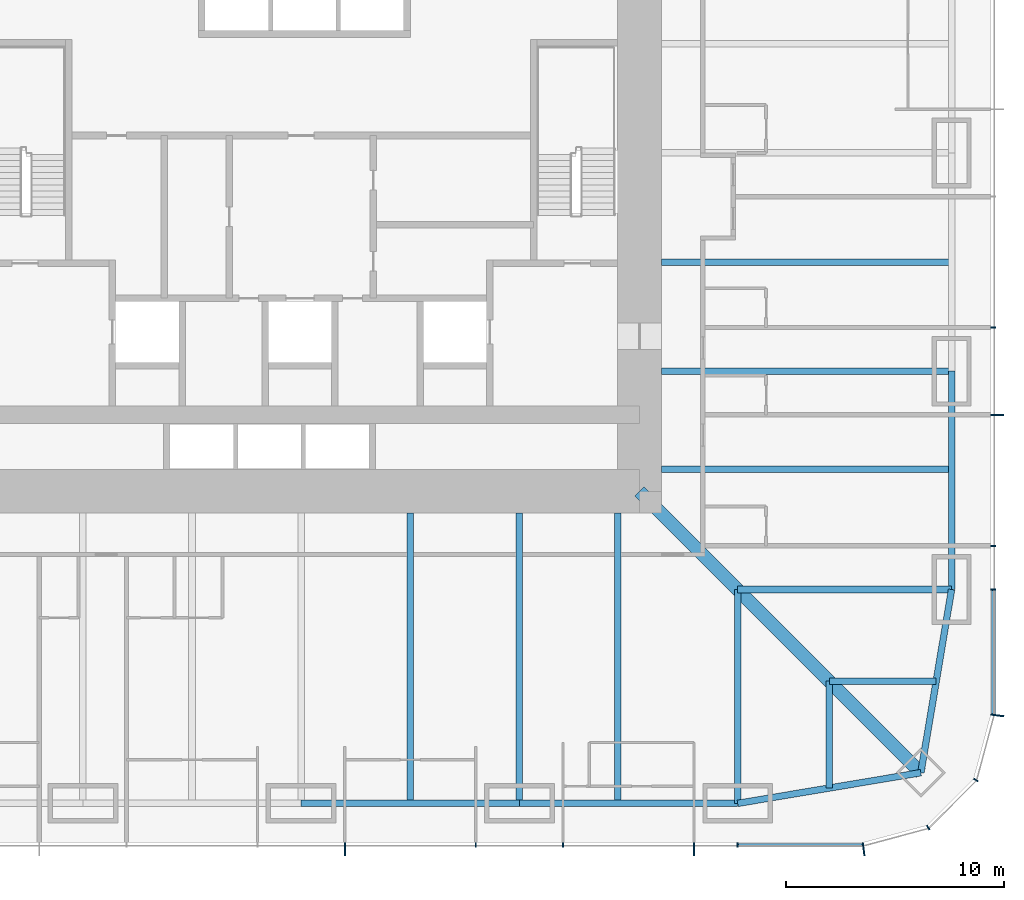
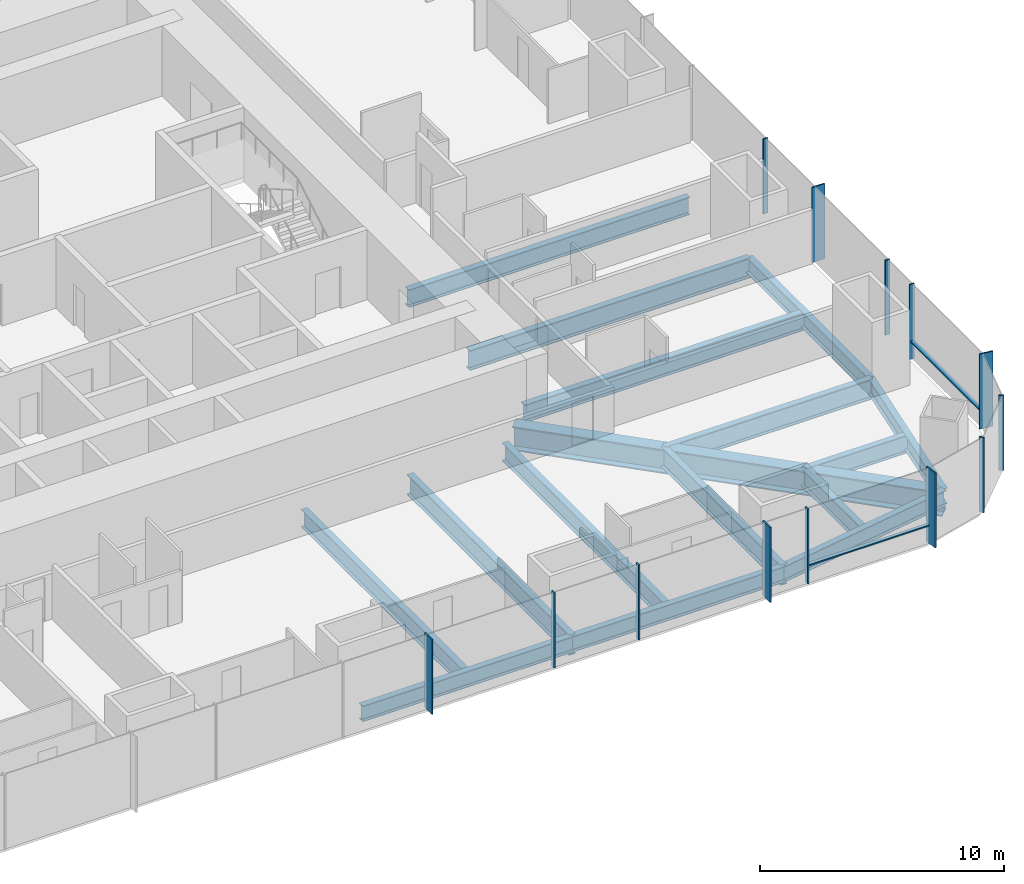
# One storey, part 4 of 17: 16 beams, 15 members, 3 elements without a shape of their own.
"""IFC4 building model written with IfcOpenShell, lengths in metres."""

from ifc_helpers import new_model, si_unit, direction, frame, origin, origin_2d, place, context, subcontext, project, spatial, rectangle, i_section, extrude, material, material_profile, profile_set, type_object, element, aggregate, save


model = new_model("IFC4")

# Units and contexts
model_context = context("Model", 3, precision=1e-05, world=origin(), true_north=direction((0.0, 1.0)))
body_context = subcontext(model_context, "Body", "Model", "MODEL_VIEW")
ifc_project = project(units=[si_unit("LENGTHUNIT", "METRE"), si_unit("AREAUNIT", "SQUARE_METRE"), si_unit("VOLUMEUNIT", "CUBIC_METRE"), si_unit("PLANEANGLEUNIT", "RADIAN"), si_unit("MASSUNIT", "GRAM", prefix="KILO")], contexts=[model_context])

# Site, building, storey
site_placement = place(None, origin())
site = spatial("IfcSite", under=ifc_project, at=site_placement, CompositionType="ELEMENT")
building_placement = place(site_placement, origin())
building = spatial("IfcBuilding", under=site, at=building_placement, Name="Khuree Lantern Residences", CompositionType="ELEMENT")
storey_placement = place(building_placement, frame((0.0, 0.0, 39.75)))
storey = spatial("IfcBuildingStorey", under=building, at=storey_placement, Name="L09", CompositionType="ELEMENT", Elevation=39.75)

# Beams
ifc_material_1 = material(Name="Steel S355", Category="steel")
ifc_material_profile_1 = material_profile(ifc_material_1, i_section(OverallWidth=0.300048828125, OverallDepth=0.889892578125, WebThickness=0.01611328125, FlangeThickness=0.030029296875, FilletRadius=0.030029296875, at=origin_2d()), Name="HE 900 A")
ifc_profile_set_1 = profile_set([ifc_material_profile_1], Name="Steel S355")
beam_type_1 = type_object("IfcBeamType", Name="B-12 SECONDARY BEAM HE 900 A", PredefinedType="BEAM", material=ifc_profile_set_1)
for number, where, z_axis, x_axis, name in (
    (1, (29.800048828125, -5.0, -0.695068359375), (-1.0, 0.0, 0.0), (0.0, -1.0, 0.0), "Secondary beam E4"),
    (2, (29.800048828125, -14.5, -0.695068359375), (-1.0, 0.0, 0.0), (0.0, -1.0, 0.0), "Secondary beam E5"),
):
    element("IfcBeam", number, at=place(storey_placement, frame(where, z_axis=z_axis, x_axis=x_axis)), inside=storey, type_object=beam_type_1, Name=name, PredefinedType="BEAM", context=body_context, shape_type="SweptSolid", body=[
        extrude(i_section(OverallWidth=0.300048828125, OverallDepth=0.889892578125, WebThickness=0.01611328125, FlangeThickness=0.030029296875, FilletRadius=0.030029296875, at=origin_2d()), origin(), (0.0, 0.0, 1.0), 13.300048828125),
    ])
for number, where, z_axis, x_axis, name in (
    (3, (29.09716796875, -24.197021484375, -0.695068359375), (-1.0, 0.0, 0.0), (0.0, -1.0, 0.0), "Secondary beam E6"),
    (4, (24.197021484375, -29.09716796875, -0.695068359375), (0.0, 1.0, 0.0), (-1.0, 0.0, 0.0), "Secondary beam S1"),
):
    element("IfcBeam", number, at=place(storey_placement, frame(where, z_axis=z_axis, x_axis=x_axis)), inside=storey, type_object=beam_type_1, Name=name, PredefinedType="BEAM", context=body_context, shape_type="SweptSolid", body=[
        extrude(i_section(OverallWidth=0.300048828125, OverallDepth=0.889892578125, WebThickness=0.01611328125, FlangeThickness=0.030029296875, FilletRadius=0.030029296875, at=origin_2d()), origin(), (0.0, 0.0, 1.0), 4.900146484375),
    ])
for number, where, z_axis, x_axis, name in (
    (5, (14.5, -29.800048828125, -0.695068359375), (0.0, 1.0, 0.0), (-1.0, 0.0, 0.0), "Secondary beam S2"),
    (6, (5.0, -29.800048828125, -0.695068359375), (0.0, 1.0, 0.0), (-1.0, 0.0, 0.0), "Secondary beam S3"),
):
    element("IfcBeam", number, at=place(storey_placement, frame(where, z_axis=z_axis, x_axis=x_axis)), inside=storey, type_object=beam_type_1, Name=name, PredefinedType="BEAM", context=body_context, shape_type="SweptSolid", body=[
        extrude(i_section(OverallWidth=0.300048828125, OverallDepth=0.889892578125, WebThickness=0.01611328125, FlangeThickness=0.030029296875, FilletRadius=0.030029296875, at=origin_2d()), origin(), (0.0, 0.0, 1.0), 13.300048828125),
    ])
ifc_material_profile_2 = material_profile(ifc_material_1, i_section(OverallWidth=0.300048828125, OverallDepth=0.7900390625, WebThickness=0.014892578125, FlangeThickness=0.028076171875, FilletRadius=0.030029296875, at=origin_2d()), Name="HE 800 A")
ifc_profile_set_2 = profile_set([ifc_material_profile_2], Name="Steel S355")
beam_type_2 = type_object("IfcBeamType", Name="E-12 SPANDREL BEAM HE 800 A", PredefinedType="SPANDREL", material=ifc_profile_set_2)
beam_1_placement = place(storey_placement, frame((29.800048828125, -10.0, -0.64501953125), z_axis=(0.0, -1.0, 0.0), x_axis=(1.0, 0.0, 0.0)))
element("IfcBeam", 7, at=beam_1_placement, inside=storey, type_object=beam_type_2, Name="Spandrel beam E5", PredefinedType="SPANDREL", context=body_context, shape_type="SweptSolid", body=[
    extrude(i_section(OverallWidth=0.300048828125, OverallDepth=0.7900390625, WebThickness=0.014892578125, FlangeThickness=0.028076171875, FilletRadius=0.030029296875, at=origin_2d()), origin(), (0.0, 0.0, 1.0), 10.0),
])
for number, where, z_axis, x_axis, name in (
    (8, (29.800048828125, -20.0, -0.64501953125), (-0.165199022349, -0.986260251158, 0.0), (0.986260251158, -0.165199022349, 0.0), "Spandrel beam E6"),
    (9, (28.39404296875, -28.39404296875, -0.64501953125), (-0.986260251158, -0.165199022349, 0.0), (0.165199022349, -0.986260251158, 0.0), "Spandrel beam S1"),
):
    element("IfcBeam", number, at=place(storey_placement, frame(where, z_axis=z_axis, x_axis=x_axis)), inside=storey, type_object=beam_type_2, Name=name, PredefinedType="SPANDREL", context=body_context, shape_type="SweptSolid", body=[
        extrude(i_section(OverallWidth=0.300048828125, OverallDepth=0.7900390625, WebThickness=0.014892578125, FlangeThickness=0.028076171875, FilletRadius=0.030029296875, at=origin_2d()), origin(), (0.0, 0.0, 1.0), 8.510986328125),
    ])
for number, where, z_axis, x_axis, name in (
    (10, (20.0, -29.800048828125, -0.64501953125), (-1.0, 0.0, 0.0), (0.0, -1.0, 0.0), "Spandrel beam S2"),
    (11, (10.0, -29.800048828125, -0.64501953125), (-1.0, 0.0, 0.0), (0.0, -1.0, 0.0), "Spandrel beam S3"),
):
    element("IfcBeam", number, at=place(storey_placement, frame(where, z_axis=z_axis, x_axis=x_axis)), inside=storey, type_object=beam_type_2, Name=name, PredefinedType="SPANDREL", context=body_context, shape_type="SweptSolid", body=[
        extrude(i_section(OverallWidth=0.300048828125, OverallDepth=0.7900390625, WebThickness=0.014892578125, FlangeThickness=0.028076171875, FilletRadius=0.030029296875, at=origin_2d()), origin(), (0.0, 0.0, 1.0), 10.0),
    ])

# Curtain wall, member
ifc_material_2 = material(Name="Bronze anodised aluminium", Category="aluminium")
curtain_wall_type_1 = type_object("IfcCurtainWallType", Name="CW-T2 TOWER CORNER CURTAIN WALL", PredefinedType="USERDEFINED", material=ifc_material_2)
curtain_wall_1_placement = place(storey_placement, origin())
curtain_wall_1 = element("IfcCurtainWall", 12, at=curtain_wall_1_placement, inside=storey, type_object=curtain_wall_type_1, Name="L09 SOUTH-EAST CORNER CURTAIN WALL", ObjectType="Faceted corner curtain wall", PredefinedType="USERDEFINED")
ifc_material_profile_3 = material_profile(ifc_material_2, rectangle(XDim=0.06494140625, YDim=0.60009765625, at=origin_2d()), Name="F1 65X600")
ifc_profile_set_3 = profile_set([ifc_material_profile_3], Name="Bronze anodised aluminium")
member_type_1 = type_object("IfcMemberType", Name="F1 BRONZE FIN MULLION TOWER 65X600", PredefinedType="MULLION", material=ifc_profile_set_3)
member_1_placement = place(storey_placement, frame((25.769775390625, -31.900146484375, 0.0), z_axis=(0.0, 0.0, 1.0), x_axis=(0.991444852794, 0.130526257387, 0.0)))
member_1 = element("IfcMember", 13, at=member_1_placement, type_object=member_type_1, Name="L09 SOUTH-EAST CORNER FIN MULLION 1", PredefinedType="MULLION", context=body_context, shape_type="SweptSolid", body=[
    extrude(rectangle(XDim=0.06494140625, YDim=0.60009765625, at=origin_2d()), origin(), (0.0, 0.0, 1.0), 3.75),
])

# Curtain wall, members
curtain_wall_type_2 = type_object("IfcCurtainWallType", Name="CW-T1 TOWER FACE CURTAIN WALL", PredefinedType="USERDEFINED", material=ifc_material_2)
curtain_wall_2_placement = place(storey_placement, origin())
curtain_wall_2 = element("IfcCurtainWall", 14, at=curtain_wall_2_placement, inside=storey, type_object=curtain_wall_type_2, Name="L09 EAST FACE CURTAIN WALL", ObjectType="Stick-built curtain wall", PredefinedType="USERDEFINED")
member_2_placement = place(storey_placement, frame((31.900146484375, -25.769775390625, 0.0), z_axis=(0.0, 0.0, 1.0), x_axis=(0.130526257387, 0.991444852794, 0.0)))
member_2 = element("IfcMember", 15, at=member_2_placement, type_object=member_type_1, Name="L09 EAST FACE FIN MULLION 4", PredefinedType="MULLION", context=body_context, shape_type="SweptSolid", body=[
    extrude(rectangle(XDim=0.06494140625, YDim=0.60009765625, at=origin_2d()), origin(), (0.0, 0.0, 1.0), 3.75),
])
member_3_placement = place(storey_placement, frame((31.89990234375, -12.0, 0.0), z_axis=(0.0, 0.0, 1.0), x_axis=(0.0, 1.0, 0.0)))
member_3 = element("IfcMember", 16, at=member_3_placement, type_object=member_type_1, Name="L09 EAST FACE FIN MULLION 7", PredefinedType="MULLION", context=body_context, shape_type="SweptSolid", body=[
    extrude(rectangle(XDim=0.06494140625, YDim=0.60009765625, at=origin_2d()), origin(), (0.0, 0.0, 1.0), 3.75),
])

curtain_wall_3_placement = place(storey_placement, origin())
curtain_wall_3 = element("IfcCurtainWall", 17, at=curtain_wall_3_placement, inside=storey, type_object=curtain_wall_type_2, Name="L09 SOUTH FACE CURTAIN WALL", ObjectType="Stick-built curtain wall", PredefinedType="USERDEFINED")
member_4_placement = place(storey_placement, frame((2.0, -31.89990234375, 0.0), z_axis=(0.0, 0.0, 1.0), x_axis=(1.0, 0.0, 0.0)))
member_4 = element("IfcMember", 18, at=member_4_placement, type_object=member_type_1, Name="L09 SOUTH FACE FIN MULLION 52", PredefinedType="MULLION", context=body_context, shape_type="SweptSolid", body=[
    extrude(rectangle(XDim=0.06494140625, YDim=0.60009765625, at=origin_2d()), origin(), (0.0, 0.0, 1.0), 3.75),
])
member_5_placement = place(storey_placement, frame((18.0, -31.89990234375, 0.0), z_axis=(0.0, 0.0, 1.0), x_axis=(1.0, 0.0, 0.0)))
member_5 = element("IfcMember", 19, at=member_5_placement, type_object=member_type_1, Name="L09 SOUTH FACE FIN MULLION 55", PredefinedType="MULLION", context=body_context, shape_type="SweptSolid", body=[
    extrude(rectangle(XDim=0.06494140625, YDim=0.60009765625, at=origin_2d()), origin(), (0.0, 0.0, 1.0), 3.75),
])

# Beams
ifc_material_profile_4 = material_profile(ifc_material_1, i_section(OverallWidth=0.302001953125, OverallDepth=1.008056640625, WebThickness=0.02099609375, FlangeThickness=0.0400390625, FilletRadius=0.030029296875, at=origin_2d()), Name="HE 1000 M")
ifc_profile_set_4 = profile_set([ifc_material_profile_4], Name="Steel S355")
beam_type_3 = type_object("IfcBeamType", Name="G-12 GIRDER HE 1000 M", PredefinedType="BEAM", material=ifc_profile_set_4)
beam_2_placement = place(storey_placement, frame((29.800048828125, -10.0, -0.75390625), z_axis=(-1.0, 0.0, 0.0), x_axis=(0.0, -1.0, 0.0)))
element("IfcBeam", 20, at=beam_2_placement, inside=storey, type_object=beam_type_3, Name="Girder E4", PredefinedType="BEAM", context=body_context, shape_type="SweptSolid", body=[
    extrude(i_section(OverallWidth=0.302001953125, OverallDepth=1.008056640625, WebThickness=0.02099609375, FlangeThickness=0.0400390625, FilletRadius=0.030029296875, at=origin_2d()), origin(), (0.0, 0.0, 1.0), 13.300048828125),
])
for number, where, z_axis, x_axis, name in (
    (21, (29.800048828125, -20.0, -0.75390625), (-1.0, 0.0, 0.0), (0.0, -1.0, 0.0), "Girder E5"),
    (22, (20.0, -29.800048828125, -0.75390625), (0.0, 1.0, 0.0), (-1.0, 0.0, 0.0), "Girder S1"),
):
    element("IfcBeam", number, at=place(storey_placement, frame(where, z_axis=z_axis, x_axis=x_axis)), inside=storey, type_object=beam_type_3, Name=name, PredefinedType="BEAM", context=body_context, shape_type="SweptSolid", body=[
        extrude(i_section(OverallWidth=0.302001953125, OverallDepth=1.008056640625, WebThickness=0.02099609375, FlangeThickness=0.0400390625, FilletRadius=0.030029296875, at=origin_2d()), origin(), (0.0, 0.0, 1.0), 9.800048828125),
    ])
beam_3_placement = place(storey_placement, frame((10.0, -29.800048828125, -0.75390625), z_axis=(0.0, 1.0, 0.0), x_axis=(-1.0, 0.0, 0.0)))
element("IfcBeam", 23, at=beam_3_placement, inside=storey, type_object=beam_type_3, Name="Girder S2", PredefinedType="BEAM", context=body_context, shape_type="SweptSolid", body=[
    extrude(i_section(OverallWidth=0.302001953125, OverallDepth=1.008056640625, WebThickness=0.02099609375, FlangeThickness=0.0400390625, FilletRadius=0.030029296875, at=origin_2d()), origin(), (0.0, 0.0, 1.0), 13.300048828125),
])
ifc_material_profile_5 = material_profile(ifc_material_1, i_section(OverallWidth=0.60009765625, OverallDepth=1.199951171875, WebThickness=0.030029296875, FlangeThickness=0.06005859375, at=origin_2d()), Name="WELDED I 1200X600X30X60")
ifc_profile_set_5 = profile_set([ifc_material_profile_5], Name="Steel S355")
beam_type_4 = type_object("IfcBeamType", Name="GD-12 CORNER GIRDER WELDED I 1200X600X30X60", PredefinedType="BEAM", material=ifc_profile_set_5)
beam_4_placement = place(storey_placement, frame((28.39404296875, -28.39404296875, -0.85009765625), z_axis=(-0.707106781187, 0.707106781187, 0.0), x_axis=(-0.707106781187, -0.707106781187, 0.0)))
element("IfcBeam", 24, at=beam_4_placement, inside=storey, type_object=beam_type_4, Name="Corner girder SE", PredefinedType="BEAM", context=body_context, shape_type="SweptSolid", body=[
    extrude(i_section(OverallWidth=0.60009765625, OverallDepth=1.199951171875, WebThickness=0.030029296875, FlangeThickness=0.06005859375, at=origin_2d()), origin(), (0.0, 0.0, 1.0), 18.23486328125),
])

# Member
ifc_material_profile_6 = material_profile(ifc_material_2, rectangle(XDim=0.06494140625, YDim=0.219970703125, at=origin_2d()), Name="M1 65X220")
ifc_profile_set_6 = profile_set([ifc_material_profile_6], Name="Bronze anodised aluminium")
member_type_2 = type_object("IfcMemberType", Name="M1 BRONZE MULLION TOWER 65X220", PredefinedType="MULLION", material=ifc_profile_set_6)
member_6_placement = place(storey_placement, frame((28.72998046875, -30.91162109375, 0.0), z_axis=(0.0, 0.0, 1.0), x_axis=(0.86602537092, 0.500000056923, 0.0)))
member_6 = element("IfcMember", 25, at=member_6_placement, type_object=member_type_2, Name="L09 SOUTH-EAST CORNER MULLION 2", PredefinedType="MULLION", context=body_context, shape_type="SweptSolid", body=[
    extrude(rectangle(XDim=0.06494140625, YDim=0.219970703125, at=origin_2d()), origin(), (0.0, 0.0, 1.0), 3.75),
])

member_7_placement = place(storey_placement, frame((30.91162109375, -28.72998046875, 0.0), z_axis=(0.0, 0.0, 1.0), x_axis=(0.500000056923, 0.86602537092, 0.0)))
member_7 = element("IfcMember", 26, at=member_7_placement, type_object=member_type_2, Name="L09 SOUTH-EAST CORNER MULLION 3", PredefinedType="MULLION", context=body_context, shape_type="SweptSolid", body=[
    extrude(rectangle(XDim=0.06494140625, YDim=0.219970703125, at=origin_2d()), origin(), (0.0, 0.0, 1.0), 3.75),
])

aggregate(curtain_wall_1, [member_1, member_6, member_7])

member_8_placement = place(storey_placement, frame((31.7099609375, -20.0, 0.0), z_axis=(0.0, 0.0, 1.0), x_axis=(0.0, 1.0, 0.0)))
member_8 = element("IfcMember", 27, at=member_8_placement, type_object=member_type_2, Name="L09 EAST FACE MULLION 5", PredefinedType="MULLION", context=body_context, shape_type="SweptSolid", body=[
    extrude(rectangle(XDim=0.06494140625, YDim=0.219970703125, at=origin_2d()), origin(), (0.0, 0.0, 1.0), 3.75),
])

member_9_placement = place(storey_placement, frame((31.7099609375, -18.0, 0.0), z_axis=(0.0, 0.0, 1.0), x_axis=(0.0, 1.0, 0.0)))
member_9 = element("IfcMember", 28, at=member_9_placement, type_object=member_type_2, Name="L09 EAST FACE MULLION 6", PredefinedType="MULLION", context=body_context, shape_type="SweptSolid", body=[
    extrude(rectangle(XDim=0.06494140625, YDim=0.219970703125, at=origin_2d()), origin(), (0.0, 0.0, 1.0), 3.75),
])

member_10_placement = place(storey_placement, frame((31.7099609375, -8.0, 0.0), z_axis=(0.0, 0.0, 1.0), x_axis=(0.0, 1.0, 0.0)))
member_10 = element("IfcMember", 29, at=member_10_placement, type_object=member_type_2, Name="L09 EAST FACE MULLION 8", PredefinedType="MULLION", context=body_context, shape_type="SweptSolid", body=[
    extrude(rectangle(XDim=0.06494140625, YDim=0.219970703125, at=origin_2d()), origin(), (0.0, 0.0, 1.0), 3.75),
])

member_11_placement = place(storey_placement, frame((8.0, -31.7099609375, 0.0), z_axis=(0.0, 0.0, 1.0), x_axis=(1.0, 0.0, 0.0)))
member_11 = element("IfcMember", 30, at=member_11_placement, type_object=member_type_2, Name="L09 SOUTH FACE MULLION 53", PredefinedType="MULLION", context=body_context, shape_type="SweptSolid", body=[
    extrude(rectangle(XDim=0.06494140625, YDim=0.219970703125, at=origin_2d()), origin(), (0.0, 0.0, 1.0), 3.75),
])

member_12_placement = place(storey_placement, frame((12.0, -31.7099609375, 0.0), z_axis=(0.0, 0.0, 1.0), x_axis=(1.0, 0.0, 0.0)))
member_12 = element("IfcMember", 31, at=member_12_placement, type_object=member_type_2, Name="L09 SOUTH FACE MULLION 54", PredefinedType="MULLION", context=body_context, shape_type="SweptSolid", body=[
    extrude(rectangle(XDim=0.06494140625, YDim=0.219970703125, at=origin_2d()), origin(), (0.0, 0.0, 1.0), 3.75),
])

member_13_placement = place(storey_placement, frame((20.0, -31.7099609375, 0.0), z_axis=(0.0, 0.0, 1.0), x_axis=(1.0, 0.0, 0.0)))
member_13 = element("IfcMember", 32, at=member_13_placement, type_object=member_type_2, Name="L09 SOUTH FACE MULLION 56", PredefinedType="MULLION", context=body_context, shape_type="SweptSolid", body=[
    extrude(rectangle(XDim=0.06494140625, YDim=0.219970703125, at=origin_2d()), origin(), (0.0, 0.0, 1.0), 3.75),
])

ifc_material_profile_7 = material_profile(ifc_material_2, rectangle(XDim=0.179931640625, YDim=0.06494140625, at=origin_2d()), Name="T1 180X65")
ifc_profile_set_7 = profile_set([ifc_material_profile_7], Name="Bronze anodised aluminium")
member_type_3 = type_object("IfcMemberType", Name="TRANSOM T1 TOWER 180X65", PredefinedType="USERDEFINED", material=ifc_profile_set_7)
member_14_placement = place(storey_placement, frame((31.719970703125, -25.701416015625, 0.89990234375), z_axis=(0.0, 1.0, 0.0), x_axis=(-1.0, 0.0, 0.0)))
member_14 = element("IfcMember", 33, at=member_14_placement, type_object=member_type_3, Name="L09 EAST FACE TRANSOM 4.1", ObjectType="Transom", PredefinedType="USERDEFINED", context=body_context, shape_type="SweptSolid", body=[
    extrude(rectangle(XDim=0.179931640625, YDim=0.06494140625, at=origin_2d()), origin(), (0.0, 0.0, 1.0), 5.6689453125),
])

aggregate(curtain_wall_2, [member_2, member_8, member_9, member_3, member_10, member_14])

member_15_placement = place(storey_placement, frame((20.032470703125, -31.719970703125, 0.89990234375), z_axis=(1.0, 0.0, 0.0), x_axis=(0.0, 1.0, 0.0)))
member_15 = element("IfcMember", 34, at=member_15_placement, type_object=member_type_3, Name="L09 SOUTH FACE TRANSOM 56.1", ObjectType="Transom", PredefinedType="USERDEFINED", context=body_context, shape_type="SweptSolid", body=[
    extrude(rectangle(XDim=0.179931640625, YDim=0.06494140625, at=origin_2d()), origin(), (0.0, 0.0, 1.0), 5.6689453125),
])

aggregate(curtain_wall_3, [member_4, member_11, member_12, member_5, member_13, member_15])

save(model, "model.ifc")
